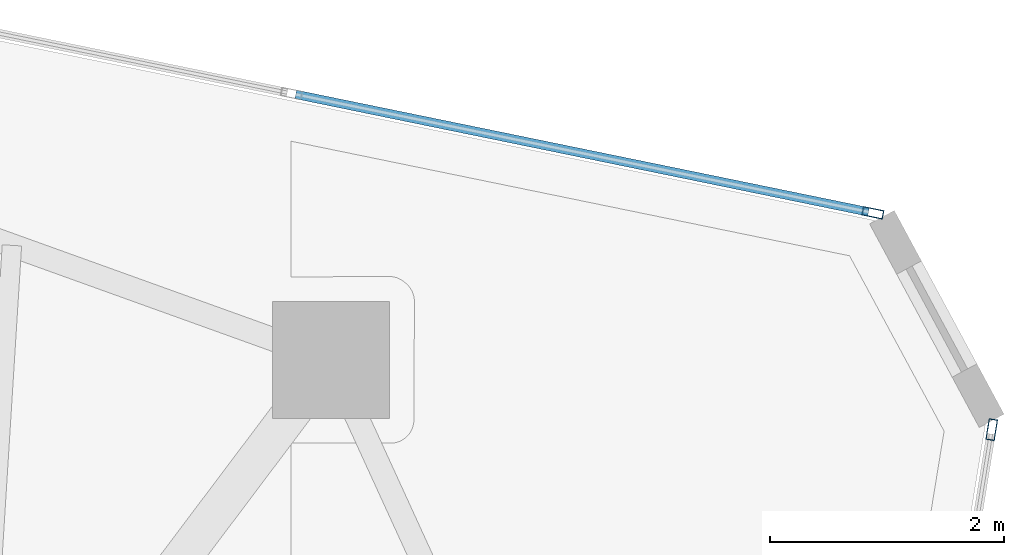
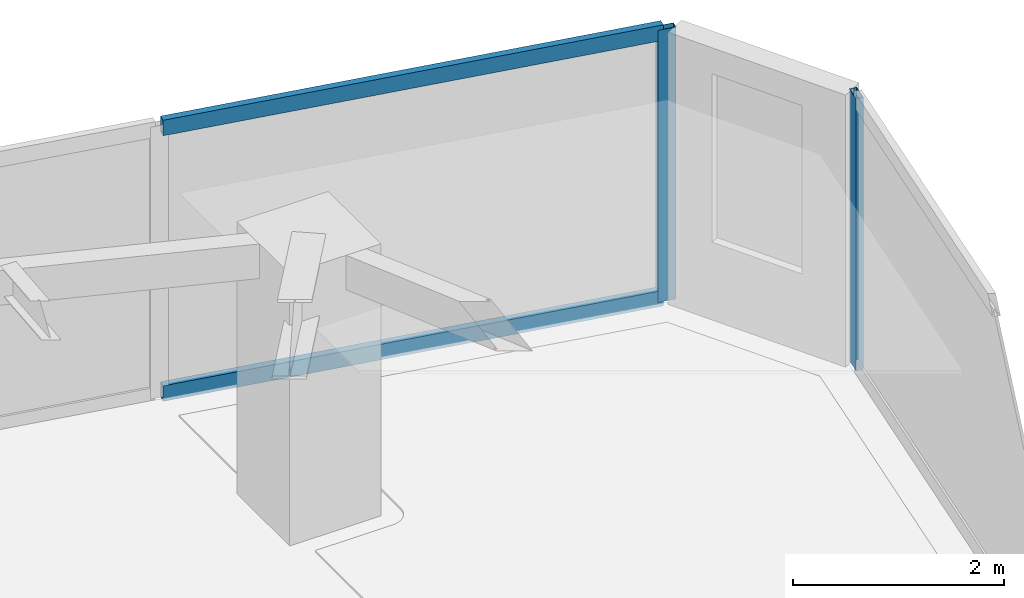
# One storey, part 15 of 20: 4 members, 2 elements without a shape of their own.
"""IFC4 building model written with IfcOpenShell, lengths in metres."""

from ifc_helpers import new_model, si_unit, direction, frame, origin, origin_2d, place, context, subcontext, project, spatial, hollow_rectangle, extrude, source, transform, mapped, material, layer, layer_set, material_profile, profile_set, type_object, type_shapes, element, aggregate, save


model = new_model("IFC4")

# Units and contexts
model_context = context("Model", 3, precision=1e-05, world=origin(), true_north=direction((0.0, 1.0)))
body_context = subcontext(model_context, "Body", "Model", "MODEL_VIEW")
ifc_project = project(units=[si_unit("LENGTHUNIT", "METRE"), si_unit("AREAUNIT", "SQUARE_METRE"), si_unit("VOLUMEUNIT", "CUBIC_METRE"), si_unit("PLANEANGLEUNIT", "RADIAN"), si_unit("MASSUNIT", "GRAM", prefix="KILO")], contexts=[model_context])

# Site, building, storey
site_placement = place(None, origin())
site = spatial("IfcSite", under=ifc_project, at=site_placement, CompositionType="ELEMENT")
building_placement = place(site_placement, origin())
building = spatial("IfcBuilding", under=site, at=building_placement, Name="Talar Marvaseh", CompositionType="ELEMENT")
storey_placement = place(building_placement, frame((0.0, 0.0, 198.5)))
storey = spatial("IfcBuildingStorey", under=building, at=storey_placement, Name="L52", CompositionType="ELEMENT", Elevation=198.5)

# Curtain wall, members
ifc_material = material(Name="Architectural Aluminium", Category="aluminium")
ifc_layer = layer(ifc_material, 0.18994140625)
ifc_layer_set = layer_set([ifc_layer], Name="Architectural Aluminium")
curtain_wall_type = type_object("IfcCurtainWallType", Name="Unitised Solar Atelier Curtain Wall Z3", PredefinedType="NOTDEFINED", material=ifc_layer_set)
curtain_wall_1_placement = place(storey_placement, origin())
curtain_wall_1 = element("IfcCurtainWall", 1, at=curtain_wall_1_placement, inside=storey, type_object=curtain_wall_type, Name="L52 Unitised Solar Atelier Curtain Wall Z3", PredefinedType="NOTDEFINED")
ifc_material_profile_1 = material_profile(ifc_material, hollow_rectangle(XDim=0.074951171875, YDim=0.179931640625, WallThickness=0.0048828125, at=origin_2d()), Name="RHS180x75x5")
ifc_profile_set_1 = profile_set([ifc_material_profile_1], Name="Architectural Aluminium")
member_type_1 = type_object("IfcMemberType", Name="Unitised Curtain Wall Transom RHS180x75x5", PredefinedType="USERDEFINED", material=ifc_profile_set_1)
shared_shape_1 = source(origin(), body_context, "Body", "SweptSolid", [
    extrude(hollow_rectangle(XDim=0.074951171875, YDim=0.179931640625, WallThickness=0.0048828125, at=origin_2d()), origin(), (0.0, 0.0, 1.0), 5.00048828125),
])
type_shapes(member_type_1, [shared_shape_1])
member_1_placement = place(storey_placement, frame((36.041259765625, 43.214111328125, 0.03759765625), z_axis=(0.979590130968, -0.201005411144, 0.0), x_axis=(0.201005411144, 0.979590130968, 0.0)))
member_1 = element("IfcMember", 2, at=member_1_placement, type_object=member_type_1, Name="CW-Z3 transom 3.1", ObjectType="TRANSOM", PredefinedType="USERDEFINED", context=body_context, shape_type="MappedRepresentation", body=[
    mapped(shared_shape_1, transform((0.0, 0.0, 0.0), x_axis=(1.0, 0.0, 0.0), y_axis=(0.0, 1.0, 0.0), z_axis=(0.0, 0.0, 1.0), scale=1.0)),
])
member_2_placement = place(storey_placement, frame((36.041259765625, 43.214111328125, 3.112548828125), z_axis=(0.979590130968, -0.201005411144, 0.0), x_axis=(0.201005411144, 0.979590130968, 0.0)))
member_2 = element("IfcMember", 3, at=member_2_placement, type_object=member_type_1, Name="CW-Z3 transom 3.2", ObjectType="TRANSOM", PredefinedType="USERDEFINED", context=body_context, shape_type="MappedRepresentation", body=[
    mapped(shared_shape_1, transform((0.0, 0.0, 0.0), x_axis=(1.0, 0.0, 0.0), y_axis=(0.0, 1.0, 0.0), z_axis=(0.0, 0.0, 1.0), scale=1.0)),
])
ifc_material_profile_2 = material_profile(ifc_material, hollow_rectangle(XDim=0.074951171875, YDim=0.179931640625, WallThickness=0.0048828125, at=origin_2d()), Name="RHS180x75x5")
ifc_profile_set_2 = profile_set([ifc_material_profile_2], Name="Architectural Aluminium")
member_type_2 = type_object("IfcMemberType", Name="Unitised Curtain Wall Standard Mullion RHS180x75x5", PredefinedType="MULLION", material=ifc_profile_set_2)
shared_shape_2 = source(origin(), body_context, "Body", "SweptSolid", [
    extrude(hollow_rectangle(XDim=0.074951171875, YDim=0.179931640625, WallThickness=0.0048828125, at=origin_2d()), origin(), (0.0, 0.0, 1.0), 3.14990234375),
])
type_shapes(member_type_2, [shared_shape_2])
member_3_placement = place(storey_placement, frame((40.9765625, 42.201416015625, 0.0), z_axis=(0.0, 0.0, 1.0), x_axis=(0.201010714536, 0.979589042733, 0.0)))
member_3 = element("IfcMember", 4, at=member_3_placement, type_object=member_type_2, Name="CW-Z3 mullion 4", PredefinedType="MULLION", context=body_context, shape_type="MappedRepresentation", body=[
    mapped(shared_shape_2, transform((0.0, 0.0, 0.0), x_axis=(1.0, 0.0, 0.0), y_axis=(0.0, 1.0, 0.0), z_axis=(0.0, 0.0, 1.0), scale=1.0)),
])
aggregate(curtain_wall_1, [member_3, member_1, member_2])

# Curtain wall, member
curtain_wall_2_placement = place(storey_placement, origin())
curtain_wall_2 = element("IfcCurtainWall", 5, at=curtain_wall_2_placement, inside=storey, type_object=curtain_wall_type, Name="L52 Unitised Solar Atelier Curtain Wall Z3", PredefinedType="NOTDEFINED")
member_4_placement = place(storey_placement, frame((41.99267578125, 40.347412109375, 0.0), z_axis=(0.0, 0.0, 1.0), x_axis=(0.986971316934, -0.160896300608, 0.0)))
member_4 = element("IfcMember", 6, at=member_4_placement, type_object=member_type_2, Name="CW-Z3 mullion 1", PredefinedType="MULLION", context=body_context, shape_type="MappedRepresentation", body=[
    mapped(shared_shape_2, transform((0.0, 0.0, 0.0), x_axis=(1.0, 0.0, 0.0), y_axis=(0.0, 1.0, 0.0), z_axis=(0.0, 0.0, 1.0), scale=1.0)),
])
aggregate(curtain_wall_2, [member_4])

save(model, "model.ifc")
